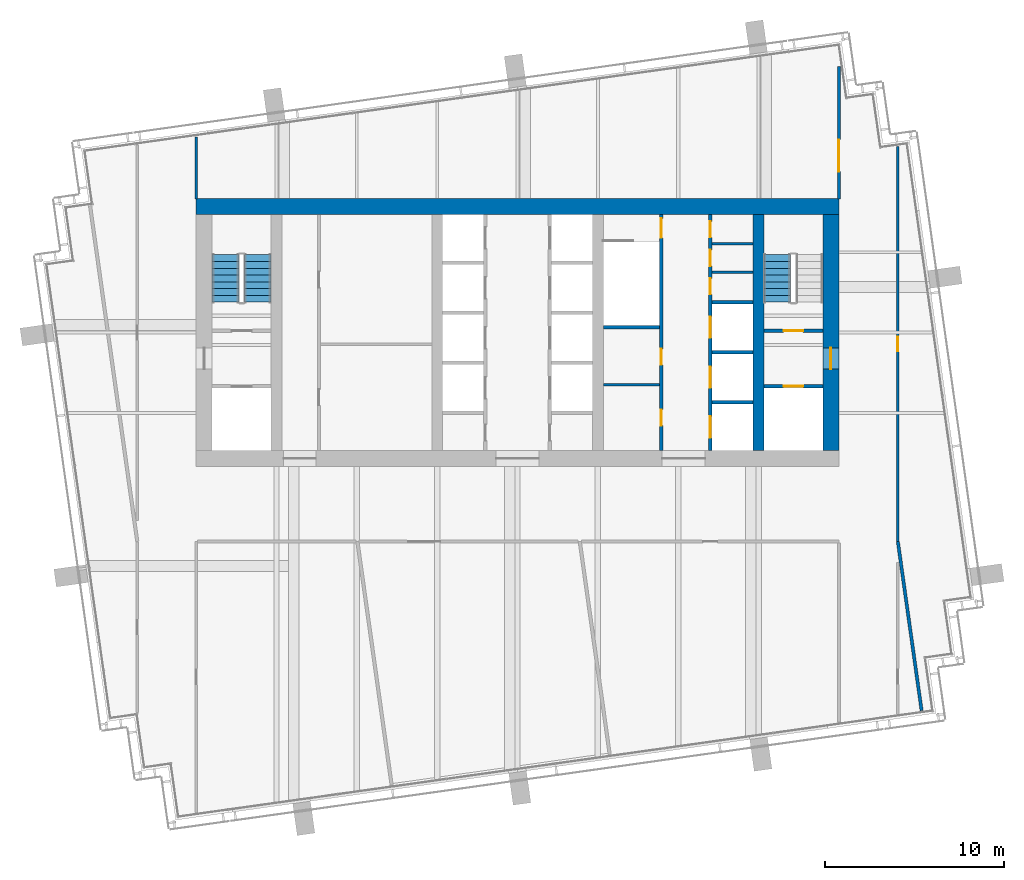
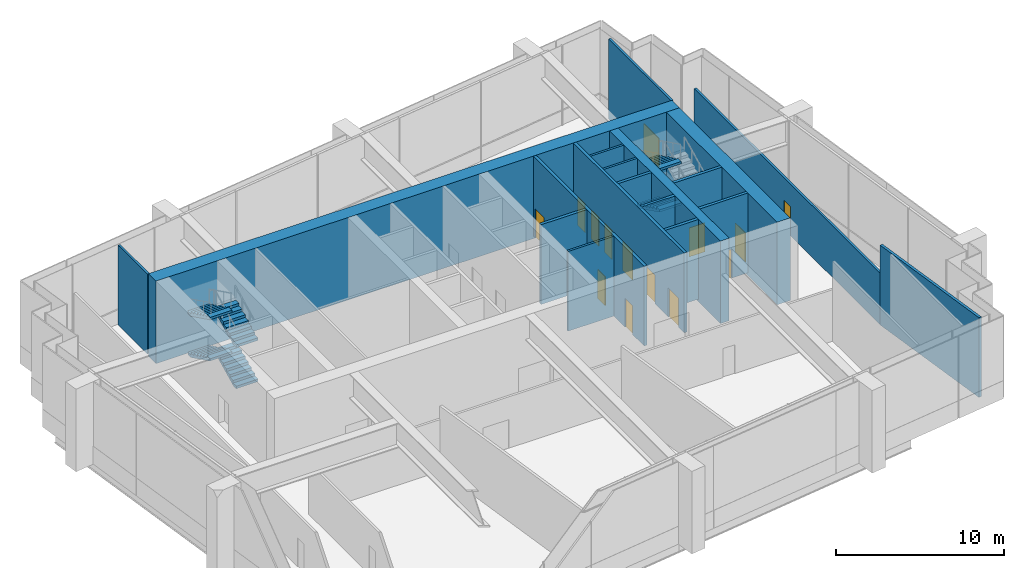
# One storey, part 20 of 25: 18 walls, 14 doors, 6 stair flights, 14 openings, 2 elements without a shape of their own.
"""IFC4 building model written with IfcOpenShell, lengths in metres."""

from ifc_helpers import new_model, si_unit, direction, frame, frame_2d, origin, place, context, subcontext, project, spatial, polyline, rectangle, outline, extrude, material, layer, layer_set, type_object, element, fill, aggregate, save


model = new_model("IFC4")

# Units and contexts
model_context = context("Model", 3, precision=1e-05, world=origin(), true_north=direction((0.0, 1.0)))
body_context = subcontext(model_context, "Body", "Model", "MODEL_VIEW")
ifc_project = project(units=[si_unit("LENGTHUNIT", "METRE"), si_unit("AREAUNIT", "SQUARE_METRE"), si_unit("VOLUMEUNIT", "CUBIC_METRE"), si_unit("PLANEANGLEUNIT", "RADIAN"), si_unit("MASSUNIT", "GRAM", prefix="KILO")], contexts=[model_context])

# Site, building, storey
site_placement = place(None, origin())
site = spatial("IfcSite", under=ifc_project, at=site_placement, CompositionType="ELEMENT")
building_placement = place(site_placement, origin())
building = spatial("IfcBuilding", under=site, at=building_placement, Name="Rattan Terrace Tower", CompositionType="ELEMENT")
storey_placement = place(building_placement, frame((0.0, 0.0, 286.300048828125)))
storey = spatial("IfcBuildingStorey", under=building, at=storey_placement, Name="L66", CompositionType="ELEMENT", Elevation=286.300048828125)

# Walls
ifc_material_1 = material(Name="Gypsum board partition")
ifc_layer_1 = layer(ifc_material_1, 0.14990234375)
ifc_layer_set_1 = layer_set([ifc_layer_1], Name="Core partition 150")
wall_type_1 = type_object("IfcWallType", Name="Core partition 150", PredefinedType="PARTITIONING", material=ifc_layer_set_1)
wall_1_placement = place(storey_placement, frame((4.800048828125, -2.927978515625, 0.0), z_axis=(0.0, 0.0, 1.0), x_axis=(1.0, 0.0, 0.0)))
element("IfcWall", 1, at=wall_1_placement, inside=storey, type_object=wall_type_1, Name="Toilet wall", PredefinedType="PARTITIONING", context=body_context, shape_type="SweptSolid", body=[
    extrude(rectangle(XDim=3.14990234375, YDim=0.14990234375, at=frame_2d((1.574951171875, 0.0))), origin(), (0.0, 0.0, 1.0), 5.800048828125),
])
for number, where, z_axis, x_axis, name in (
    (2, (10.89990234375, 3.384033203125, 0.0), (0.0, 0.0, 1.0), (1.0, 0.0, 0.0), "Riser room wall"),
    (3, (10.89990234375, 4.968017578125, 0.0), (0.0, 0.0, 1.0), (1.0, 0.0, 0.0), "Riser room wall"),
):
    element("IfcWall", number, at=place(storey_placement, frame(where, z_axis=z_axis, x_axis=x_axis)), inside=storey, type_object=wall_type_1, Name=name, PredefinedType="PARTITIONING", context=body_context, shape_type="SweptSolid", body=[
        extrude(rectangle(XDim=2.300048828125, YDim=0.14990234375, at=frame_2d((1.14990234375, 0.0))), origin(), (0.0, 0.0, 1.0), 5.800048828125),
    ])

# Wall, opening, door
ifc_material_2 = material(Name="Gypsum board partition")
ifc_layer_2 = layer(ifc_material_2, 0.199951171875)
ifc_layer_set_2 = layer_set([ifc_layer_2], Name="Core partition 200")
wall_type_2 = type_object("IfcWallType", Name="Core partition 200", PredefinedType="PARTITIONING", material=ifc_layer_set_2)
wall_2_placement = place(storey_placement, frame((13.800048828125, -3.0, 0.0), z_axis=(0.0, 0.0, 1.0), x_axis=(1.0, 0.0, 0.0)))
wall_2 = element("IfcWall", 4, at=wall_2_placement, inside=storey, type_object=wall_type_2, Name="Fire-fighting lobby wall", PredefinedType="PARTITIONING", context=body_context, shape_type="SweptSolid", body=[
    extrude(rectangle(XDim=3.300048828125, YDim=0.199951171875, at=frame_2d((1.64990234375, 0.0))), origin(), (0.0, 0.0, 1.0), 5.800048828125),
])
opening_1_placement = place(wall_2_placement, frame((1.10009765625, 0.0, 0.0)))
opening_1 = element("IfcOpeningElement", 5, at=opening_1_placement, cuts=wall_2, Name="Opening L66-LD-FF2", PredefinedType="OPENING", context=body_context, shape_type="SweptSolid", body=[
    extrude(rectangle(XDim=1.10009765625, YDim=2.10009765625, at=frame_2d((0.550048828125, 1.050048828125))), frame((0.0, 0.110595703125, 0.0), z_axis=(0.0, -1.0, 0.0), x_axis=(1.0, 0.0, 0.0)), (0.0, 0.0, 1.0), 0.220947265625),
])
ifc_material_3 = material(Name="Brushed stainless landing door panel")
door_type_1 = type_object("IfcDoorType", Name="Core lift landing door 1100", OperationType="DOUBLE_DOOR_SLIDING", PredefinedType="DOOR", material=ifc_material_3)
door_1_placement = place(opening_1_placement, origin())
door_1 = element("IfcDoor", 6, at=door_1_placement, inside=storey, type_object=door_type_1, Name="Door L66-LD-FF2", OperationType="DOUBLE_DOOR_SLIDING", OverallHeight=2.10009765625, OverallWidth=1.10009765625, PredefinedType="DOOR", context=body_context, shape_type="SweptSolid", body=[
    extrude(rectangle(XDim=1.10009765625, YDim=2.10009765625, at=frame_2d((0.550048828125, 1.050048828125))), frame((0.0, 0.02490234375, 0.0), z_axis=(0.0, -1.0, 0.0), x_axis=(1.0, 0.0, 0.0)), (0.0, 0.0, 1.0), 0.050048828125),
])
fill(opening_1, door_1)

wall_3_placement = place(storey_placement, frame((13.800048828125, 0.10009765625, 0.0), z_axis=(0.0, 0.0, 1.0), x_axis=(1.0, 0.0, 0.0)))
wall_3 = element("IfcWall", 7, at=wall_3_placement, inside=storey, type_object=wall_type_2, Name="Stair enclosure wall", PredefinedType="PARTITIONING", context=body_context, shape_type="SweptSolid", body=[
    extrude(rectangle(XDim=3.300048828125, YDim=0.199951171875, at=frame_2d((1.64990234375, 0.0))), origin(), (0.0, 0.0, 1.0), 5.800048828125),
])
opening_2_placement = place(wall_3_placement, frame((1.10009765625, 0.0, 0.0)))
opening_2 = element("IfcOpeningElement", 8, at=opening_2_placement, cuts=wall_3, Name="Opening L66-D004", PredefinedType="OPENING", context=body_context, shape_type="SweptSolid", body=[
    extrude(rectangle(XDim=1.10009765625, YDim=2.10009765625, at=frame_2d((0.550048828125, 1.050048828125))), frame((0.0, 0.110595703125, 0.0), z_axis=(0.0, -1.0, 0.0), x_axis=(1.0, 0.0, 0.0)), (0.0, 0.0, 1.0), 0.220947265625),
])
ifc_material_4 = material(Name="Hollow-metal fire door leaf")
door_type_2 = type_object("IfcDoorType", Name="Core stair door 1100", OperationType="NOTDEFINED", PredefinedType="DOOR", material=ifc_material_4)
door_2_placement = place(opening_2_placement, origin())
door_2 = element("IfcDoor", 9, at=door_2_placement, inside=storey, type_object=door_type_2, Name="Door L66-D004", OperationType="SINGLE_SWING_LEFT", OverallHeight=2.10009765625, OverallWidth=1.10009765625, PredefinedType="DOOR", context=body_context, shape_type="SweptSolid", body=[
    extrude(rectangle(XDim=1.10009765625, YDim=2.10009765625, at=frame_2d((0.550048828125, 1.050048828125))), frame((0.0, 0.02490234375, 0.0), z_axis=(0.0, -1.0, 0.0), x_axis=(1.0, 0.0, 0.0)), (0.0, 0.0, 1.0), 0.050048828125),
])
fill(opening_2, door_2)

# Wall, openings, doors
wall_4_placement = place(storey_placement, frame((8.050048828125, -6.60009765625, 0.0), z_axis=(0.0, 0.0, 1.0), x_axis=(0.0, 1.0, 0.0)))
wall_4 = element("IfcWall", 10, at=wall_4_placement, inside=storey, type_object=wall_type_2, Name="Lobby wall west", PredefinedType="PARTITIONING", context=body_context, shape_type="SweptSolid", body=[
    extrude(rectangle(XDim=13.2001953125, YDim=0.199951171875, at=frame_2d((6.60009765625, 0.0))), origin(), (0.0, 0.0, 1.0), 5.800048828125),
])
opening_3_placement = place(wall_4_placement, frame((1.385986328125, 0.0, 0.0)))
opening_3 = element("IfcOpeningElement", 11, at=opening_3_placement, cuts=wall_4, Name="Opening L66-D011", PredefinedType="OPENING", context=body_context, shape_type="SweptSolid", body=[
    extrude(rectangle(XDim=0.89990234375, YDim=2.10009765625, at=frame_2d((0.449951171875, 1.050048828125))), frame((0.0, 0.110595703125, 0.0), z_axis=(0.0, -1.0, 0.0), x_axis=(1.0, 0.0, 0.0)), (0.0, 0.0, 1.0), 0.220947265625),
])
opening_4_placement = place(wall_4_placement, frame((4.785888671875, 0.0, 0.0)))
opening_4 = element("IfcOpeningElement", 12, at=opening_4_placement, cuts=wall_4, Name="Opening L66-D012", PredefinedType="OPENING", context=body_context, shape_type="SweptSolid", body=[
    extrude(rectangle(XDim=0.89990234375, YDim=2.10009765625, at=frame_2d((0.449951171875, 1.050048828125))), frame((0.0, 0.110595703125, 0.0), z_axis=(0.0, -1.0, 0.0), x_axis=(1.0, 0.0, 0.0)), (0.0, 0.0, 1.0), 0.220947265625),
])
opening_5_placement = place(wall_4_placement, frame((11.89990234375, 0.0, 0.0)))
opening_5 = element("IfcOpeningElement", 13, at=opening_5_placement, cuts=wall_4, Name="Opening L66-D013", PredefinedType="OPENING", context=body_context, shape_type="SweptSolid", body=[
    extrude(rectangle(XDim=1.10009765625, YDim=2.10009765625, at=frame_2d((0.550048828125, 1.050048828125))), frame((0.0, 0.110595703125, 0.0), z_axis=(0.0, -1.0, 0.0), x_axis=(1.0, 0.0, 0.0)), (0.0, 0.0, 1.0), 0.220947265625),
])
door_3_placement = place(opening_5_placement, origin())
door_3 = element("IfcDoor", 14, at=door_3_placement, inside=storey, type_object=door_type_2, Name="Door L66-D013", OperationType="SINGLE_SWING_LEFT", OverallHeight=2.10009765625, OverallWidth=1.10009765625, PredefinedType="DOOR", context=body_context, shape_type="SweptSolid", body=[
    extrude(rectangle(XDim=1.10009765625, YDim=2.10009765625, at=frame_2d((0.550048828125, 1.050048828125))), frame((0.0, 0.02490234375, 0.0), z_axis=(0.0, -1.0, 0.0), x_axis=(1.0, 0.0, 0.0)), (0.0, 0.0, 1.0), 0.050048828125),
])
fill(opening_5, door_3)
ifc_material_5 = material(Name="Hollow-metal fire door leaf")
door_type_3 = type_object("IfcDoorType", Name="Core toilet door 900", OperationType="NOTDEFINED", PredefinedType="DOOR", material=ifc_material_5)
door_4_placement = place(opening_3_placement, origin())
door_4 = element("IfcDoor", 15, at=door_4_placement, inside=storey, type_object=door_type_3, Name="Door L66-D011", OperationType="SINGLE_SWING_LEFT", OverallHeight=2.10009765625, OverallWidth=0.89990234375, PredefinedType="DOOR", context=body_context, shape_type="SweptSolid", body=[
    extrude(rectangle(XDim=0.89990234375, YDim=2.10009765625, at=frame_2d((0.449951171875, 1.050048828125))), frame((0.0, 0.02490234375, 0.0), z_axis=(0.0, -1.0, 0.0), x_axis=(1.0, 0.0, 0.0)), (0.0, 0.0, 1.0), 0.050048828125),
])
fill(opening_3, door_4)
door_5_placement = place(opening_4_placement, origin())
door_5 = element("IfcDoor", 16, at=door_5_placement, inside=storey, type_object=door_type_3, Name="Door L66-D012", OperationType="SINGLE_SWING_RIGHT", OverallHeight=2.10009765625, OverallWidth=0.89990234375, PredefinedType="DOOR", context=body_context, shape_type="SweptSolid", body=[
    extrude(rectangle(XDim=0.89990234375, YDim=2.10009765625, at=frame_2d((0.449951171875, 1.050048828125))), frame((0.0, 0.02490234375, 0.0), z_axis=(0.0, -1.0, 0.0), x_axis=(1.0, 0.0, 0.0)), (0.0, 0.0, 1.0), 0.050048828125),
])
fill(opening_4, door_5)

# Walls
wall_5_placement = place(storey_placement, frame((4.800048828125, 0.300048828125, 0.0), z_axis=(0.0, 0.0, 1.0), x_axis=(1.0, 0.0, 0.0)))
element("IfcWall", 17, at=wall_5_placement, inside=storey, type_object=wall_type_2, Name="Stair enclosure wall", PredefinedType="PARTITIONING", context=body_context, shape_type="SweptSolid", body=[
    extrude(rectangle(XDim=3.14990234375, YDim=0.199951171875, at=frame_2d((1.574951171875, 0.0))), origin(), (0.0, 0.0, 1.0), 5.800048828125),
])
ifc_material_6 = material(Name="Concrete C50/60", Category="concrete")
ifc_layer_3 = layer(ifc_material_6, 0.89990234375)
ifc_layer_set_3 = layer_set([ifc_layer_3], Name="Core ring wall 900 C50/60")
wall_type_3 = type_object("IfcWallType", Name="Core ring wall 900 C50/60", PredefinedType="SHEAR", material=ifc_layer_set_3)
wall_6_placement = place(storey_placement, frame((-18.0, 7.050048828125, -0.199951171875), z_axis=(0.0, 0.0, 1.0), x_axis=(1.0, 0.0, 0.0)))
element("IfcWall", 18, at=wall_6_placement, inside=storey, type_object=wall_type_3, Name="Rear core wall north", PredefinedType="SHEAR", context=body_context, shape_type="SweptSolid", body=[
    extrude(rectangle(XDim=36.0, YDim=0.89990234375, at=frame_2d((18.0, 0.0))), origin(), (0.0, 0.0, 1.0), 6.0),
])

# Wall, opening, door
wall_7_placement = place(storey_placement, frame((17.550048828125, -6.60009765625, -0.199951171875), z_axis=(0.0, 0.0, 1.0), x_axis=(0.0, 1.0, 0.0)))
wall_7 = element("IfcWall", 19, at=wall_7_placement, inside=storey, type_object=wall_type_3, Name="Rear core wall east", PredefinedType="SHEAR", context=body_context, shape_type="SweptSolid", body=[
    extrude(rectangle(XDim=13.2001953125, YDim=0.89990234375, at=frame_2d((6.60009765625, 0.0))), origin(), (0.0, 0.0, 1.0), 6.0),
])
opening_6_placement = place(wall_7_placement, frame((4.550048828125, 0.0, 0.199951171875)))
opening_6 = element("IfcOpeningElement", 20, at=opening_6_placement, cuts=wall_7, Name="Opening L66-D003", PredefinedType="OPENING", context=body_context, shape_type="SweptSolid", body=[
    extrude(rectangle(XDim=1.199951171875, YDim=2.10009765625, at=frame_2d((0.60009765625, 1.050048828125))), frame((0.0, 0.46044921875, 0.0), z_axis=(0.0, -1.0, 0.0), x_axis=(1.0, 0.0, 0.0)), (0.0, 0.0, 1.0), 0.9208984375),
])
ifc_material_7 = material(Name="Hollow-metal fire door leaf")
door_type_4 = type_object("IfcDoorType", Name="Core fire-fighting lobby door 1200", OperationType="NOTDEFINED", PredefinedType="DOOR", material=ifc_material_7)
door_6_placement = place(opening_6_placement, origin())
door_6 = element("IfcDoor", 21, at=door_6_placement, inside=storey, type_object=door_type_4, Name="Door L66-D003", OperationType="SINGLE_SWING_RIGHT", OverallHeight=2.10009765625, OverallWidth=1.199951171875, PredefinedType="DOOR", context=body_context, shape_type="SweptSolid", body=[
    extrude(rectangle(XDim=1.199951171875, YDim=2.10009765625, at=frame_2d((0.60009765625, 1.050048828125))), frame((0.0, 0.02490234375, 0.0), z_axis=(0.0, -1.0, 0.0), x_axis=(1.0, 0.0, 0.0)), (0.0, 0.0, 1.0), 0.050048828125),
])
fill(opening_6, door_6)

# Walls
ifc_material_8 = material(Name="Concrete C50/60", Category="concrete")
ifc_layer_4 = layer(ifc_material_8, 0.60009765625)
ifc_layer_set_4 = layer_set([ifc_layer_4], Name="Core spine wall 600 C50/60")
wall_type_4 = type_object("IfcWallType", Name="Core spine wall 600 C50/60", PredefinedType="SHEAR", material=ifc_layer_set_4)
wall_8_placement = place(storey_placement, frame((13.5, -6.60009765625, -0.199951171875), z_axis=(0.0, 0.0, 1.0), x_axis=(0.0, 1.0, 0.0)))
element("IfcWall", 22, at=wall_8_placement, inside=storey, type_object=wall_type_4, Name="Core spine wall 4", PredefinedType="SHEAR", context=body_context, shape_type="SweptSolid", body=[
    extrude(rectangle(XDim=13.2001953125, YDim=0.60009765625, at=frame_2d((6.60009765625, 0.0))), origin(), (0.0, 0.0, 1.0), 6.0),
])
ifc_material_9 = material(Name="Double steel stud acoustic partition, gypsum board, mineral wool, fire rated", Category="steel")
ifc_layer_5 = layer(ifc_material_9, 0.179931640625)
ifc_layer_set_5 = layer_set([ifc_layer_5], Name="Floors Acoustic Party Wall 180")
wall_type_5 = type_object("IfcWallType", Name="Floors Acoustic Party Wall 180", PredefinedType="PARTITIONING", material=ifc_layer_set_5)
wall_9_placement = place(storey_placement, frame((22.631103515625, -21.174072265625, 0.0), z_axis=(0.0, 0.0, 1.0), x_axis=(-0.139169567919, 0.990268565272, 0.0)))
element("IfcWall", 23, at=wall_9_placement, inside=storey, type_object=wall_type_5, Name="pt-L66-015", PredefinedType="PARTITIONING", context=body_context, shape_type="SweptSolid", body=[
    extrude(rectangle(XDim=9.564208984375, YDim=0.179931640625, at=frame_2d((4.7822265625, 0.0))), origin(), (0.0, 0.0, 1.0), 5.800048828125),
])
ifc_material_10 = material(Name="Gypsum board partition on steel studs, fire rated", Category="steel")
ifc_layer_6 = layer(ifc_material_10, 0.14990234375)
ifc_layer_set_6 = layer_set([ifc_layer_6], Name="Floors Tenancy Wall 150")
wall_type_6 = type_object("IfcWallType", Name="Floors Tenancy Wall 150", PredefinedType="PARTITIONING", material=ifc_layer_set_6)
wall_10_placement = place(storey_placement, frame((-18.0, 10.962890625, 0.0), z_axis=(0.0, 0.0, 1.0), x_axis=(0.0, -1.0, 0.0)))
element("IfcWall", 24, at=wall_10_placement, inside=storey, type_object=wall_type_6, Name="pt-L66-001", PredefinedType="PARTITIONING", context=body_context, shape_type="SweptSolid", body=[
    extrude(rectangle(XDim=3.48291015625, YDim=0.14990234375, at=frame_2d((1.741455078125, 0.0))), origin(), (0.0, 0.0, 1.0), 5.800048828125),
])

# Wall, opening, door
wall_11_placement = place(storey_placement, frame((17.9990234375, 7.47998046875, 0.0), z_axis=(0.0, 0.0, 1.0), x_axis=(0.0, 1.0, 0.0)))
wall_11 = element("IfcWall", 25, at=wall_11_placement, inside=storey, type_object=wall_type_6, Name="pt-L66-002", PredefinedType="PARTITIONING", context=body_context, shape_type="SweptSolid", body=[
    extrude(rectangle(XDim=7.427001953125, YDim=0.14990234375, at=frame_2d((3.71337890625, 0.0))), origin(), (0.0, 0.0, 1.0), 5.800048828125),
])
opening_7_placement = place(wall_11_placement, frame((1.531982421875, 0.0, 0.0)))
opening_7 = element("IfcOpeningElement", 26, at=opening_7_placement, cuts=wall_11, Name="Opening L66-D100", PredefinedType="OPENING", context=body_context, shape_type="SweptSolid", body=[
    extrude(rectangle(XDim=1.800048828125, YDim=2.10009765625, at=frame_2d((0.89990234375, 1.050048828125))), frame((0.0, 0.08544921875, 0.0), z_axis=(0.0, -1.0, 0.0), x_axis=(1.0, 0.0, 0.0)), (0.0, 0.0, 1.0), 0.1708984375),
])
ifc_material_11 = material(Name="Steel fire door set", Category="steel")
door_type_5 = type_object("IfcDoorType", Name="Floors Fire Door Pair FD30S 1800x2100", OperationType="NOTDEFINED", PredefinedType="DOOR", material=ifc_material_11)
door_7_placement = place(opening_7_placement, origin())
door_7 = element("IfcDoor", 27, at=door_7_placement, inside=storey, type_object=door_type_5, Name="d-L66-100", OperationType="DOUBLE_DOOR_SINGLE_SWING", OverallHeight=2.10009765625, OverallWidth=1.800048828125, PredefinedType="DOOR", context=body_context, shape_type="SweptSolid", body=[
    extrude(rectangle(XDim=1.800048828125, YDim=2.10009765625, at=frame_2d((0.89990234375, 1.050048828125))), frame((0.0, 0.02490234375, 0.0), z_axis=(0.0, -1.0, 0.0), x_axis=(1.0, 0.0, 0.0)), (0.0, 0.0, 1.0), 0.050048828125),
])
fill(opening_7, door_7)

wall_12_placement = place(storey_placement, frame((21.300048828125, 10.427978515625, 0.0), z_axis=(0.0, 0.0, 1.0), x_axis=(0.0, -1.0, 0.0)))
wall_12 = element("IfcWall", 28, at=wall_12_placement, inside=storey, type_object=wall_type_6, Name="pt-L66-009", PredefinedType="PARTITIONING", context=body_context, shape_type="SweptSolid", body=[
    extrude(rectangle(XDim=22.140869140625, YDim=0.14990234375, at=frame_2d((11.0703125, 0.0))), origin(), (0.0, 0.0, 1.0), 3.75),
])
opening_8_placement = place(wall_12_placement, frame((10.669921875, 0.0, 0.0)))
opening_8 = element("IfcOpeningElement", 29, at=opening_8_placement, cuts=wall_12, Name="Opening L66-D105", PredefinedType="OPENING", context=body_context, shape_type="SweptSolid", body=[
    extrude(rectangle(XDim=0.800048828125, YDim=2.10009765625, at=frame_2d((0.39990234375, 1.050048828125))), frame((0.0, 0.08544921875, 0.0), z_axis=(0.0, -1.0, 0.0), x_axis=(1.0, 0.0, 0.0)), (0.0, 0.0, 1.0), 0.1708984375),
])
ifc_material_12 = material(Name="Steel fire door set", Category="steel")
door_type_6 = type_object("IfcDoorType", Name="Floors Store Door FD30S 800x2100", OperationType="NOTDEFINED", PredefinedType="DOOR", material=ifc_material_12)
door_8_placement = place(opening_8_placement, origin())
door_8 = element("IfcDoor", 30, at=door_8_placement, inside=storey, type_object=door_type_6, Name="d-L66-105", OperationType="SINGLE_SWING_RIGHT", OverallHeight=2.10009765625, OverallWidth=0.800048828125, PredefinedType="DOOR", context=body_context, shape_type="SweptSolid", body=[
    extrude(rectangle(XDim=0.800048828125, YDim=2.10009765625, at=frame_2d((0.39990234375, 1.050048828125))), frame((0.0, 0.02490234375, 0.0), z_axis=(0.0, -1.0, 0.0), x_axis=(1.0, 0.0, 0.0)), (0.0, 0.0, 1.0), 0.050048828125),
])
fill(opening_8, door_8)

# Wall, openings, doors
ifc_material_13 = material(Name="Gypsum shaft wall system")
ifc_layer_7 = layer(ifc_material_13, 0.199951171875)
ifc_layer_set_7 = layer_set([ifc_layer_7], Name="Lift shaft wall 200")
wall_type_7 = type_object("IfcWallType", Name="Lift shaft wall 200", PredefinedType="PARTITIONING", material=ifc_layer_set_7)
wall_13_placement = place(storey_placement, frame((10.800048828125, -6.60009765625, 0.0), z_axis=(0.0, 0.0, 1.0), x_axis=(0.0, 1.0, 0.0)))
wall_13 = element("IfcWall", 31, at=wall_13_placement, inside=storey, type_object=wall_type_7, Name="Lift shaft front wall", PredefinedType="PARTITIONING", context=body_context, shape_type="SweptSolid", body=[
    extrude(rectangle(XDim=13.2001953125, YDim=0.199951171875, at=frame_2d((6.60009765625, 0.0))), origin(), (0.0, 0.0, 1.0), 5.800048828125),
])
opening_9_placement = place(wall_13_placement, frame((0.699951171875, 0.0, 0.0)))
opening_9 = element("IfcOpeningElement", 32, at=opening_9_placement, cuts=wall_13, Name="Opening L66-LD-SV1", PredefinedType="OPENING", context=body_context, shape_type="SweptSolid", body=[
    extrude(rectangle(XDim=1.199951171875, YDim=2.10009765625, at=frame_2d((0.60009765625, 1.050048828125))), frame((0.0, 0.110595703125, 0.0), z_axis=(0.0, -1.0, 0.0), x_axis=(1.0, 0.0, 0.0)), (0.0, 0.0, 1.0), 0.220947265625),
])
opening_10_placement = place(wall_13_placement, frame((3.5, 0.0, 0.0)))
opening_10 = element("IfcOpeningElement", 33, at=opening_10_placement, cuts=wall_13, Name="Opening L66-LD-OBS1", PredefinedType="OPENING", context=body_context, shape_type="SweptSolid", body=[
    extrude(rectangle(XDim=1.199951171875, YDim=2.10009765625, at=frame_2d((0.60009765625, 1.050048828125))), frame((0.0, 0.110595703125, 0.0), z_axis=(0.0, -1.0, 0.0), x_axis=(1.0, 0.0, 0.0)), (0.0, 0.0, 1.0), 0.220947265625),
])
opening_11_placement = place(wall_13_placement, frame((6.300048828125, 0.0, 0.0)))
opening_11 = element("IfcOpeningElement", 34, at=opening_11_placement, cuts=wall_13, Name="Opening L66-LD-OBS2", PredefinedType="OPENING", context=body_context, shape_type="SweptSolid", body=[
    extrude(rectangle(XDim=1.199951171875, YDim=2.10009765625, at=frame_2d((0.60009765625, 1.050048828125))), frame((0.0, 0.110595703125, 0.0), z_axis=(0.0, -1.0, 0.0), x_axis=(1.0, 0.0, 0.0)), (0.0, 0.0, 1.0), 0.220947265625),
])
opening_12_placement = place(wall_13_placement, frame((8.741943359375, 0.0, 0.0)))
opening_12 = element("IfcOpeningElement", 35, at=opening_12_placement, cuts=wall_13, Name="Opening L66-D015", PredefinedType="OPENING", context=body_context, shape_type="SweptSolid", body=[
    extrude(rectangle(XDim=0.89990234375, YDim=2.10009765625, at=frame_2d((0.449951171875, 1.050048828125))), frame((0.0, 0.110595703125, 0.0), z_axis=(0.0, -1.0, 0.0), x_axis=(1.0, 0.0, 0.0)), (0.0, 0.0, 1.0), 0.220947265625),
])
opening_13_placement = place(wall_13_placement, frame((10.325927734375, 0.0, 0.0)))
opening_13 = element("IfcOpeningElement", 36, at=opening_13_placement, cuts=wall_13, Name="Opening L66-D016", PredefinedType="OPENING", context=body_context, shape_type="SweptSolid", body=[
    extrude(rectangle(XDim=0.89990234375, YDim=2.10009765625, at=frame_2d((0.449951171875, 1.050048828125))), frame((0.0, 0.110595703125, 0.0), z_axis=(0.0, -1.0, 0.0), x_axis=(1.0, 0.0, 0.0)), (0.0, 0.0, 1.0), 0.220947265625),
])
opening_14_placement = place(wall_13_placement, frame((11.93408203125, 0.0, 0.0)))
opening_14 = element("IfcOpeningElement", 37, at=opening_14_placement, cuts=wall_13, Name="Opening L66-D017", PredefinedType="OPENING", context=body_context, shape_type="SweptSolid", body=[
    extrude(rectangle(XDim=0.89990234375, YDim=2.10009765625, at=frame_2d((0.449951171875, 1.050048828125))), frame((0.0, 0.110595703125, 0.0), z_axis=(0.0, -1.0, 0.0), x_axis=(1.0, 0.0, 0.0)), (0.0, 0.0, 1.0), 0.220947265625),
])
ifc_material_14 = material(Name="Brushed stainless landing door panel")
door_type_7 = type_object("IfcDoorType", Name="Core lift landing door 1200", OperationType="DOUBLE_DOOR_SLIDING", PredefinedType="DOOR", material=ifc_material_14)
door_9_placement = place(opening_9_placement, origin())
door_9 = element("IfcDoor", 38, at=door_9_placement, inside=storey, type_object=door_type_7, Name="Door L66-LD-SV1", OperationType="DOUBLE_DOOR_SLIDING", OverallHeight=2.10009765625, OverallWidth=1.199951171875, PredefinedType="DOOR", context=body_context, shape_type="SweptSolid", body=[
    extrude(rectangle(XDim=1.199951171875, YDim=2.10009765625, at=frame_2d((0.60009765625, 1.050048828125))), frame((0.0, 0.02490234375, 0.0), z_axis=(0.0, -1.0, 0.0), x_axis=(1.0, 0.0, 0.0)), (0.0, 0.0, 1.0), 0.050048828125),
])
fill(opening_9, door_9)
door_10_placement = place(opening_10_placement, origin())
door_10 = element("IfcDoor", 39, at=door_10_placement, inside=storey, type_object=door_type_7, Name="Door L66-LD-OBS1", OperationType="DOUBLE_DOOR_SLIDING", OverallHeight=2.10009765625, OverallWidth=1.199951171875, PredefinedType="DOOR", context=body_context, shape_type="SweptSolid", body=[
    extrude(rectangle(XDim=1.199951171875, YDim=2.10009765625, at=frame_2d((0.60009765625, 1.050048828125))), frame((0.0, 0.02490234375, 0.0), z_axis=(0.0, -1.0, 0.0), x_axis=(1.0, 0.0, 0.0)), (0.0, 0.0, 1.0), 0.050048828125),
])
fill(opening_10, door_10)
door_11_placement = place(opening_11_placement, origin())
door_11 = element("IfcDoor", 40, at=door_11_placement, inside=storey, type_object=door_type_7, Name="Door L66-LD-OBS2", OperationType="DOUBLE_DOOR_SLIDING", OverallHeight=2.10009765625, OverallWidth=1.199951171875, PredefinedType="DOOR", context=body_context, shape_type="SweptSolid", body=[
    extrude(rectangle(XDim=1.199951171875, YDim=2.10009765625, at=frame_2d((0.60009765625, 1.050048828125))), frame((0.0, 0.02490234375, 0.0), z_axis=(0.0, -1.0, 0.0), x_axis=(1.0, 0.0, 0.0)), (0.0, 0.0, 1.0), 0.050048828125),
])
fill(opening_11, door_11)
ifc_material_15 = material(Name="Hollow-metal fire door leaf")
door_type_8 = type_object("IfcDoorType", Name="Core riser door 900", OperationType="NOTDEFINED", PredefinedType="DOOR", material=ifc_material_15)
door_12_placement = place(opening_12_placement, origin())
door_12 = element("IfcDoor", 41, at=door_12_placement, inside=storey, type_object=door_type_8, Name="Door L66-D015", OperationType="SINGLE_SWING_RIGHT", OverallHeight=2.10009765625, OverallWidth=0.89990234375, PredefinedType="DOOR", context=body_context, shape_type="SweptSolid", body=[
    extrude(rectangle(XDim=0.89990234375, YDim=2.10009765625, at=frame_2d((0.449951171875, 1.050048828125))), frame((0.0, 0.02490234375, 0.0), z_axis=(0.0, -1.0, 0.0), x_axis=(1.0, 0.0, 0.0)), (0.0, 0.0, 1.0), 0.050048828125),
])
fill(opening_12, door_12)
door_13_placement = place(opening_13_placement, origin())
door_13 = element("IfcDoor", 42, at=door_13_placement, inside=storey, type_object=door_type_8, Name="Door L66-D016", OperationType="SINGLE_SWING_LEFT", OverallHeight=2.10009765625, OverallWidth=0.89990234375, PredefinedType="DOOR", context=body_context, shape_type="SweptSolid", body=[
    extrude(rectangle(XDim=0.89990234375, YDim=2.10009765625, at=frame_2d((0.449951171875, 1.050048828125))), frame((0.0, 0.02490234375, 0.0), z_axis=(0.0, -1.0, 0.0), x_axis=(1.0, 0.0, 0.0)), (0.0, 0.0, 1.0), 0.050048828125),
])
fill(opening_13, door_13)
ifc_material_16 = material(Name="Hollow-metal fire door leaf")
door_type_9 = type_object("IfcDoorType", Name="Core service room door 900", OperationType="NOTDEFINED", PredefinedType="DOOR", material=ifc_material_16)
door_14_placement = place(opening_14_placement, origin())
door_14 = element("IfcDoor", 43, at=door_14_placement, inside=storey, type_object=door_type_9, Name="Door L66-D017", OperationType="SINGLE_SWING_RIGHT", OverallHeight=2.10009765625, OverallWidth=0.89990234375, PredefinedType="DOOR", context=body_context, shape_type="SweptSolid", body=[
    extrude(rectangle(XDim=0.89990234375, YDim=2.10009765625, at=frame_2d((0.449951171875, 1.050048828125))), frame((0.0, 0.02490234375, 0.0), z_axis=(0.0, -1.0, 0.0), x_axis=(1.0, 0.0, 0.0)), (0.0, 0.0, 1.0), 0.050048828125),
])
fill(opening_14, door_14)

# Walls
for number, where, z_axis, x_axis, name in (
    (44, (10.89990234375, -3.89990234375, 0.0), (0.0, 0.0, 1.0), (1.0, 0.0, 0.0), "Lift shaft wall"),
    (45, (10.89990234375, -1.10009765625, 0.0), (0.0, 0.0, 1.0), (1.0, 0.0, 0.0), "Lift shaft wall"),
    (46, (10.89990234375, 1.699951171875, 0.0), (0.0, 0.0, 1.0), (1.0, 0.0, 0.0), "Lift shaft wall"),
):
    element("IfcWall", number, at=place(storey_placement, frame(where, z_axis=z_axis, x_axis=x_axis)), inside=storey, type_object=wall_type_7, Name=name, PredefinedType="PARTITIONING", context=body_context, shape_type="SweptSolid", body=[
        extrude(rectangle(XDim=2.300048828125, YDim=0.199951171875, at=frame_2d((1.14990234375, 0.0))), origin(), (0.0, 0.0, 1.0), 5.800048828125),
    ])

# Stair, stair flights
ifc_material_17 = material(Name="Concrete C40/50", Category="concrete")
stair_type = type_object("IfcStairType", Name="Core exit stair 1500", PredefinedType="HALF_TURN_STAIR", material=ifc_material_17)
stair_1_placement = place(storey_placement, origin())
stair_1 = element("IfcStair", 47, at=stair_1_placement, inside=storey, type_object=stair_type, Name="L66 exit stair 1", PredefinedType="HALF_TURN_STAIR")
ifc_material_18 = material(Name="Concrete C40/50", Category="concrete")
stair_flight_type = type_object("IfcStairFlightType", Name="Core exit stair flight 1500", PredefinedType="STRAIGHT", material=ifc_material_18)
stair_flight_1_placement = place(storey_placement, frame((-14.550048828125, 1.699951171875, 0.0), z_axis=(0.0, 0.0, 1.0), x_axis=(0.0, 1.0, 0.0)))
stair_flight_1 = element("IfcStairFlight", 48, at=stair_flight_1_placement, type_object=stair_flight_type, Name="S1 flight 1", NumberOfRisers=8, NumberOfTreads=7, PredefinedType="STRAIGHT", RiserHeight=0.1875, TreadLength=0.38, context=body_context, shape_type="SweptSolid", body=[
    extrude(outline(polyline([(0.0, 0.0), (0.0, 0.1875), (0.3798828125, 0.1875), (0.3798828125, 0.375), (0.760009765625, 0.375), (0.760009765625, 0.5625), (1.139892578125, 0.5625), (1.139892578125, 0.75), (1.52001953125, 0.75), (1.52001953125, 0.9375), (1.89990234375, 0.9375), (1.89990234375, 1.125), (2.280029296875, 1.125), (2.280029296875, 1.3125), (2.659912109375, 1.3125), (2.659912109375, 1.5), (2.659912109375, 1.145263671875), (0.3388671875, 0.0), (0.0, 0.0)])), frame((0.0, 0.75, 0.0), z_axis=(0.0, -1.0, 0.0), x_axis=(1.0, 0.0, 0.0)), (0.0, 0.0, 1.0), 1.5),
])
stair_flight_2_placement = place(storey_placement, frame((-16.35009765625, 4.360107421875, 1.5), z_axis=(0.0, 0.0, 1.0), x_axis=(0.0, -1.0, 0.0)))
stair_flight_2 = element("IfcStairFlight", 49, at=stair_flight_2_placement, type_object=stair_flight_type, Name="S1 flight 2", NumberOfRisers=8, NumberOfTreads=7, PredefinedType="STRAIGHT", RiserHeight=0.1875, TreadLength=0.38, context=body_context, shape_type="SweptSolid", body=[
    extrude(outline(polyline([(0.0, 0.0), (0.0, 0.1875), (0.3798828125, 0.1875), (0.3798828125, 0.375), (0.760009765625, 0.375), (0.760009765625, 0.5625), (1.139892578125, 0.5625), (1.139892578125, 0.75), (1.52001953125, 0.75), (1.52001953125, 0.9375), (1.89990234375, 0.9375), (1.89990234375, 1.125), (2.280029296875, 1.125), (2.280029296875, 1.3125), (2.659912109375, 1.3125), (2.659912109375, 1.5), (2.659912109375, 1.145263671875), (0.3388671875, 0.0), (0.0, 0.0)])), frame((0.0, 0.75, 0.0), z_axis=(0.0, -1.0, 0.0), x_axis=(1.0, 0.0, 0.0)), (0.0, 0.0, 1.0), 1.5),
])
stair_flight_3_placement = place(storey_placement, frame((-14.550048828125, 1.699951171875, 3.0), z_axis=(0.0, 0.0, 1.0), x_axis=(0.0, 1.0, 0.0)))
stair_flight_3 = element("IfcStairFlight", 50, at=stair_flight_3_placement, type_object=stair_flight_type, Name="S1 flight 3", NumberOfRisers=8, NumberOfTreads=7, PredefinedType="STRAIGHT", RiserHeight=0.1875, TreadLength=0.38, context=body_context, shape_type="SweptSolid", body=[
    extrude(outline(polyline([(0.0, 0.0), (0.0, 0.1875), (0.3798828125, 0.1875), (0.3798828125, 0.375), (0.760009765625, 0.375), (0.760009765625, 0.5625), (1.139892578125, 0.5625), (1.139892578125, 0.75), (1.52001953125, 0.75), (1.52001953125, 0.9375), (1.89990234375, 0.9375), (1.89990234375, 1.125), (2.280029296875, 1.125), (2.280029296875, 1.3125), (2.659912109375, 1.3125), (2.659912109375, 1.5), (2.659912109375, 1.145263671875), (0.3388671875, 0.0), (0.0, 0.0)])), frame((0.0, 0.75, 0.0), z_axis=(0.0, -1.0, 0.0), x_axis=(1.0, 0.0, 0.0)), (0.0, 0.0, 1.0), 1.5),
])
stair_flight_4_placement = place(storey_placement, frame((-16.35009765625, 4.360107421875, 4.5), z_axis=(0.0, 0.0, 1.0), x_axis=(0.0, -1.0, 0.0)))
stair_flight_4 = element("IfcStairFlight", 51, at=stair_flight_4_placement, type_object=stair_flight_type, Name="S1 flight 4", NumberOfRisers=8, NumberOfTreads=7, PredefinedType="STRAIGHT", RiserHeight=0.1875, TreadLength=0.38, context=body_context, shape_type="SweptSolid", body=[
    extrude(outline(polyline([(0.0, 0.0), (0.0, 0.1875), (0.3798828125, 0.1875), (0.3798828125, 0.375), (0.760009765625, 0.375), (0.760009765625, 0.5625), (1.139892578125, 0.5625), (1.139892578125, 0.75), (1.52001953125, 0.75), (1.52001953125, 0.9375), (1.89990234375, 0.9375), (1.89990234375, 1.125), (2.280029296875, 1.125), (2.280029296875, 1.3125), (2.659912109375, 1.3125), (2.659912109375, 1.5), (2.659912109375, 1.145263671875), (0.3388671875, 0.0), (0.0, 0.0)])), frame((0.0, 0.75, 0.0), z_axis=(0.0, -1.0, 0.0), x_axis=(1.0, 0.0, 0.0)), (0.0, 0.0, 1.0), 1.5),
])
aggregate(stair_1, [stair_flight_1, stair_flight_2, stair_flight_3, stair_flight_4])

stair_2_placement = place(storey_placement, origin())
stair_2 = element("IfcStair", 52, at=stair_2_placement, inside=storey, type_object=stair_type, Name="L66 exit stair 2", PredefinedType="HALF_TURN_STAIR")
stair_flight_5_placement = place(storey_placement, frame((14.550048828125, 4.360107421875, 1.5), z_axis=(0.0, 0.0, 1.0), x_axis=(0.0, -1.0, 0.0)))
stair_flight_5 = element("IfcStairFlight", 53, at=stair_flight_5_placement, type_object=stair_flight_type, Name="S2 flight 2", NumberOfRisers=8, NumberOfTreads=7, PredefinedType="STRAIGHT", RiserHeight=0.1875, TreadLength=0.38, context=body_context, shape_type="SweptSolid", body=[
    extrude(outline(polyline([(0.0, 0.0), (0.0, 0.1875), (0.3798828125, 0.1875), (0.3798828125, 0.375), (0.760009765625, 0.375), (0.760009765625, 0.5625), (1.139892578125, 0.5625), (1.139892578125, 0.75), (1.52001953125, 0.75), (1.52001953125, 0.9375), (1.89990234375, 0.9375), (1.89990234375, 1.125), (2.280029296875, 1.125), (2.280029296875, 1.3125), (2.659912109375, 1.3125), (2.659912109375, 1.5), (2.659912109375, 1.145263671875), (0.3388671875, 0.0), (0.0, 0.0)])), frame((0.0, 0.75, 0.0), z_axis=(0.0, -1.0, 0.0), x_axis=(1.0, 0.0, 0.0)), (0.0, 0.0, 1.0), 1.5),
])
stair_flight_6_placement = place(storey_placement, frame((14.550048828125, 4.360107421875, 4.5), z_axis=(0.0, 0.0, 1.0), x_axis=(0.0, -1.0, 0.0)))
stair_flight_6 = element("IfcStairFlight", 54, at=stair_flight_6_placement, type_object=stair_flight_type, Name="S2 flight 4", NumberOfRisers=8, NumberOfTreads=7, PredefinedType="STRAIGHT", RiserHeight=0.1875, TreadLength=0.38, context=body_context, shape_type="SweptSolid", body=[
    extrude(outline(polyline([(0.0, 0.0), (0.0, 0.1875), (0.3798828125, 0.1875), (0.3798828125, 0.375), (0.760009765625, 0.375), (0.760009765625, 0.5625), (1.139892578125, 0.5625), (1.139892578125, 0.75), (1.52001953125, 0.75), (1.52001953125, 0.9375), (1.89990234375, 0.9375), (1.89990234375, 1.125), (2.280029296875, 1.125), (2.280029296875, 1.3125), (2.659912109375, 1.3125), (2.659912109375, 1.5), (2.659912109375, 1.145263671875), (0.3388671875, 0.0), (0.0, 0.0)])), frame((0.0, 0.75, 0.0), z_axis=(0.0, -1.0, 0.0), x_axis=(1.0, 0.0, 0.0)), (0.0, 0.0, 1.0), 1.5),
])
aggregate(stair_2, [stair_flight_5, stair_flight_6])

save(model, "model.ifc")
